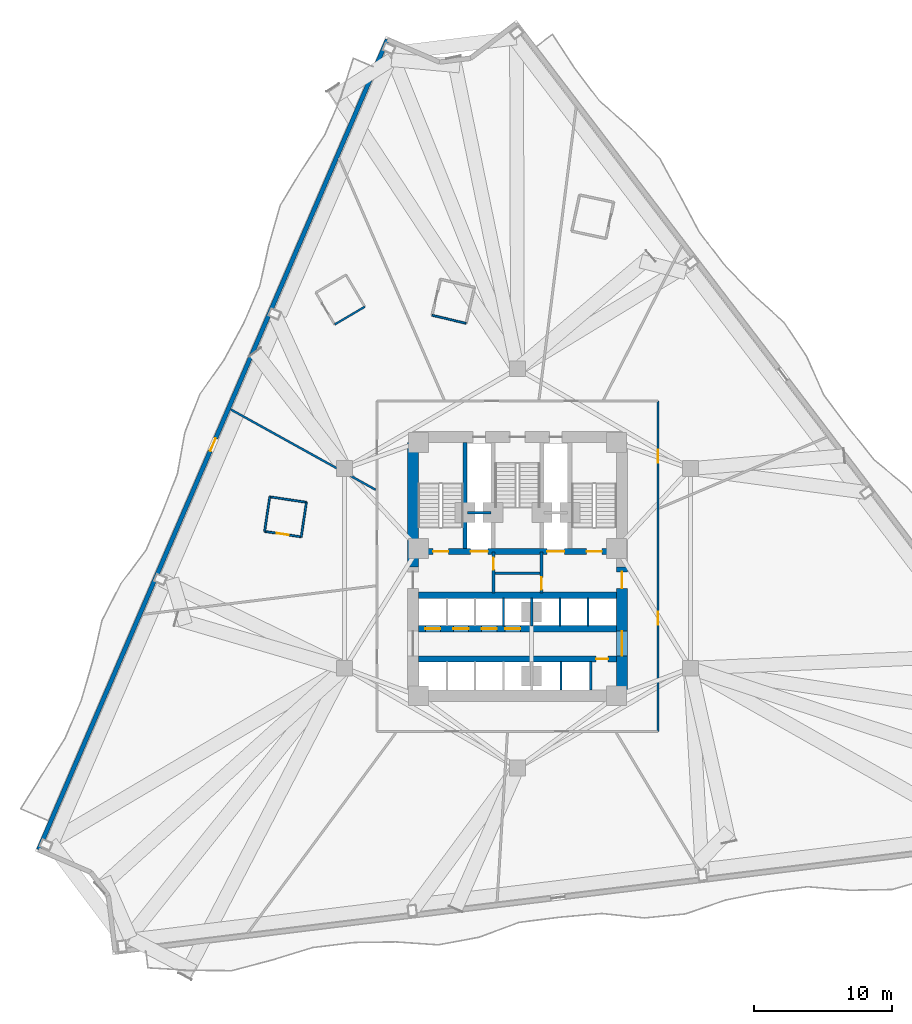
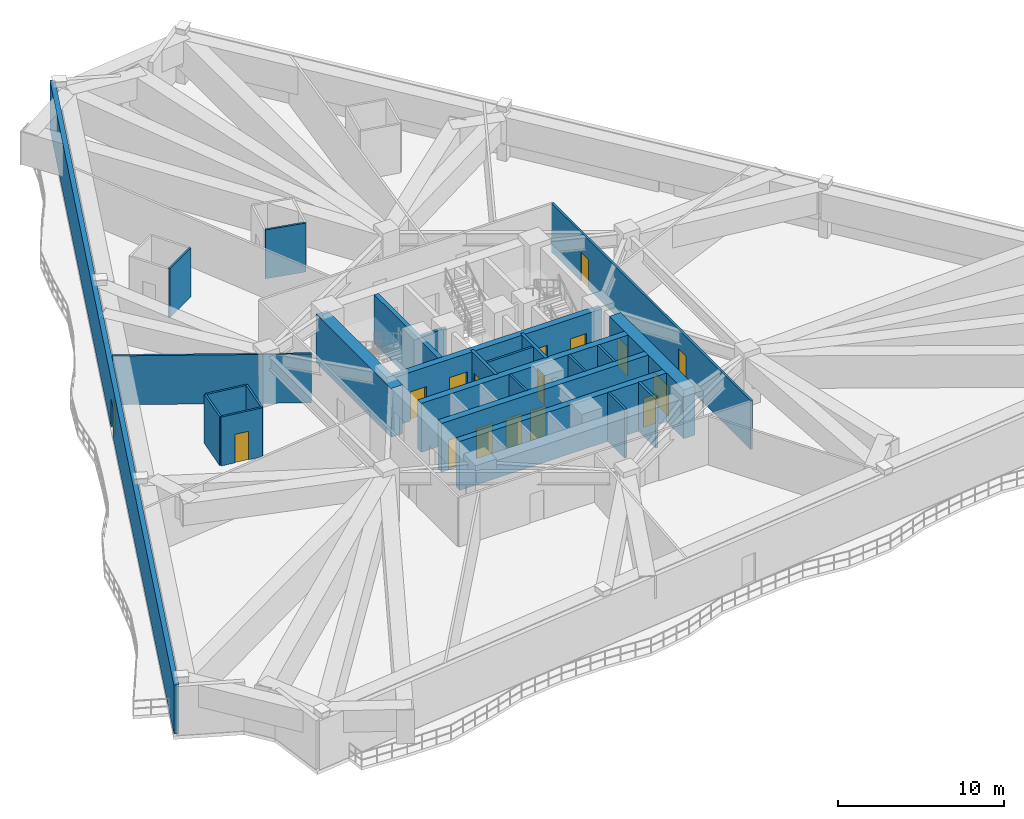
# One storey, part 8 of 14: 26 walls, 17 doors, 17 openings.
"""IFC4 building model written with IfcOpenShell, lengths in metres."""

from ifc_helpers import new_model, si_unit, direction, frame, frame_2d, origin, place, context, subcontext, project, spatial, rectangle, extrude, material, layer, layer_set, type_object, element, fill, save


model = new_model("IFC4")

# Units and contexts
model_context = context("Model", 3, precision=1e-05, world=origin(), true_north=direction((0.0, 1.0)))
body_context = subcontext(model_context, "Body", "Model", "MODEL_VIEW")
ifc_project = project(units=[si_unit("LENGTHUNIT", "METRE"), si_unit("AREAUNIT", "SQUARE_METRE"), si_unit("VOLUMEUNIT", "CUBIC_METRE"), si_unit("PLANEANGLEUNIT", "RADIAN"), si_unit("MASSUNIT", "GRAM", prefix="KILO")], contexts=[model_context])

# Site, building, storey
site_placement = place(None, origin())
site = spatial("IfcSite", under=ifc_project, at=site_placement, CompositionType="ELEMENT")
building_placement = place(site_placement, origin())
building = spatial("IfcBuilding", under=site, at=building_placement, Name="Apsidion Concourse Tower", CompositionType="ELEMENT")
storey_placement = place(building_placement, frame((0.0, 0.0, 91.0)))
storey = spatial("IfcBuildingStorey", under=building, at=storey_placement, Name="L20", CompositionType="ELEMENT", Elevation=91.0)

# Wall, opening, door
ifc_material_1 = material(Name="Precast concrete C40/50", Category="concrete")
ifc_layer_1 = layer(ifc_material_1, 0.320068359375)
ifc_layer_set_1 = layer_set([ifc_layer_1], Name="Precast concrete C40/50")
wall_type_1 = type_object("IfcWallType", Name="WL-EXT-320", PredefinedType="STANDARD", material=ifc_layer_set_1)
wall_1_placement = place(storey_placement, frame((-34.787353515625, -20.429443359375, 0.0), z_axis=(0.0, 0.0, 1.0), x_axis=(0.395418293843, 0.91850115563, 0.0)))
wall_1 = element("IfcWall", 1, at=wall_1_placement, inside=storey, type_object=wall_type_1, Name="L20 Precast Stone Facade Wall 09", PredefinedType="STANDARD", context=body_context, shape_type="SweptSolid", body=[
    extrude(rectangle(XDim=64.058349609375, YDim=0.320068359375, at=frame_2d((32.029296875, 0.0))), origin(), (0.0, 0.0, 1.0), 3.60009765625),
])
opening_1_placement = place(wall_1_placement, frame((31.529296875, 0.0, 0.0)))
opening_1 = element("IfcOpeningElement", 2, at=opening_1_placement, cuts=wall_1, Name="Opening D-T1L", PredefinedType="OPENING", context=body_context, shape_type="SweptSolid", body=[
    extrude(rectangle(XDim=1.0, YDim=2.14990234375, at=frame_2d((0.5, 1.074951171875))), frame((0.0, 0.169921875, 0.0), z_axis=(0.0, -1.0, 0.0), x_axis=(1.0, 0.0, 0.0)), (0.0, 0.0, 1.0), 0.340087890625),
])
ifc_material_2 = material(Name="Anodised aluminium EN AW-6063 T6", Category="aluminium")
door_type_1 = type_object("IfcDoorType", Name="DR-TER-1022L", OperationType="SINGLE_SWING_LEFT", PredefinedType="DOOR", material=ifc_material_2)
door_1_placement = place(opening_1_placement, origin())
door_1 = element("IfcDoor", 3, at=door_1_placement, inside=storey, type_object=door_type_1, Name="L20 Balcony Access Door 1", OperationType="SINGLE_SWING_LEFT", OverallHeight=2.14990234375, OverallWidth=1.0, PredefinedType="DOOR", context=body_context, shape_type="SweptSolid", body=[
    extrude(rectangle(XDim=1.0, YDim=2.14990234375, at=frame_2d((0.5, 1.074951171875))), frame((0.0, 0.02490234375, 0.0), z_axis=(0.0, -1.0, 0.0), x_axis=(1.0, 0.0, 0.0)), (0.0, 0.0, 1.0), 0.050048828125),
])
fill(opening_1, door_1)

# Walls
ifc_material_3 = material(Name="Gypsum plasterboard partition")
ifc_layer_2 = layer(ifc_material_3, 0.139892578125)
ifc_layer_set_2 = layer_set([ifc_layer_2], Name="Gypsum plasterboard partition")
wall_type_2 = type_object("IfcWallType", Name="WL-INT-PAR-140", PredefinedType="PARTITIONING", material=ifc_layer_set_2)
for number, where, z_axis, x_axis, name in (
    (4, (-6.209716796875, 18.388671875, 0.0), (0.0, 0.0, 1.0), (0.973167005848, -0.230099932049, 0.0), "L20 Interior Partition WL-L20-POD-ENS06-S4"),
    (5, (-13.282470703125, 17.716552734375, 0.0), (0.0, 0.0, 1.0), (0.861595512239, 0.507595481943, 0.0), "L20 Interior Partition WL-L20-POD-ENS07-S4"),
):
    element("IfcWall", number, at=place(storey_placement, frame(where, z_axis=z_axis, x_axis=x_axis)), inside=storey, type_object=wall_type_2, Name=name, PredefinedType="PARTITIONING", context=body_context, shape_type="SweptSolid", body=[
        extrude(rectangle(XDim=2.5400390625, YDim=0.139892578125, at=frame_2d((1.27001953125, 0.0))), origin(), (0.0, 0.0, 1.0), 3.60009765625),
    ])
wall_2_placement = place(storey_placement, frame((-15.33349609375, 4.802001953125, 0.0), z_axis=(0.0, 0.0, 1.0), x_axis=(-0.989010125109, 0.147847801579, 0.0)))
element("IfcWall", 6, at=wall_2_placement, inside=storey, type_object=wall_type_2, Name="L20 Interior Partition WL-L20-POD-ENS08-S1", PredefinedType="PARTITIONING", context=body_context, shape_type="SweptSolid", body=[
    extrude(rectangle(XDim=2.68994140625, YDim=0.139892578125, at=frame_2d((1.344970703125, 0.0))), origin(), (0.0, 0.0, 1.0), 3.60009765625),
])
wall_3_placement = place(storey_placement, frame((-17.993896484375, 5.19970703125, 0.0), z_axis=(0.0, 0.0, 1.0), x_axis=(-0.147823437669, -0.98901376698, 0.0)))
element("IfcWall", 7, at=wall_3_placement, inside=storey, type_object=wall_type_2, Name="L20 Interior Partition WL-L20-POD-ENS08-S2", PredefinedType="PARTITIONING", context=body_context, shape_type="SweptSolid", body=[
    extrude(rectangle(XDim=2.5400390625, YDim=0.139892578125, at=frame_2d((1.27001953125, 0.0))), origin(), (0.0, 0.0, 1.0), 3.60009765625),
])

# Wall, opening, door
wall_4_placement = place(storey_placement, frame((-18.369384765625, 2.6875, 0.0), z_axis=(0.0, 0.0, 1.0), x_axis=(0.989010125109, -0.147847801579, 0.0)))
wall_4 = element("IfcWall", 8, at=wall_4_placement, inside=storey, type_object=wall_type_2, Name="L20 Interior Partition WL-L20-POD-ENS08-S3", PredefinedType="PARTITIONING", context=body_context, shape_type="SweptSolid", body=[
    extrude(rectangle(XDim=2.68994140625, YDim=0.139892578125, at=frame_2d((1.344970703125, 0.0))), origin(), (0.0, 0.0, 1.0), 3.60009765625),
])
opening_2_placement = place(wall_4_placement, frame((0.905029296875, 0.0, 0.0)))
opening_2 = element("IfcOpeningElement", 9, at=opening_2_placement, cuts=wall_4, Name="Opening D-03L", PredefinedType="OPENING", context=body_context, shape_type="SweptSolid", body=[
    extrude(rectangle(XDim=0.8798828125, YDim=2.10009765625, at=frame_2d((0.43994140625, 1.050048828125))), frame((0.0, 0.080078125, 0.0), z_axis=(0.0, -1.0, 0.0), x_axis=(1.0, 0.0, 0.0)), (0.0, 0.0, 1.0), 0.159912109375),
])
door_type_2 = type_object("IfcDoorType", Name="DR-INT-D03L", OperationType="SINGLE_SWING_LEFT", PredefinedType="DOOR", material=ifc_material_2)
door_2_placement = place(opening_2_placement, origin())
door_2 = element("IfcDoor", 10, at=door_2_placement, inside=storey, type_object=door_type_2, Name="L20 Guest En-Suite Bathroom Door ENS08", OperationType="SINGLE_SWING_LEFT", OverallHeight=2.10009765625, OverallWidth=0.8798828125, PredefinedType="DOOR", context=body_context, shape_type="SweptSolid", body=[
    extrude(rectangle(XDim=0.8798828125, YDim=2.10009765625, at=frame_2d((0.43994140625, 1.050048828125))), frame((0.0, 0.02490234375, 0.0), z_axis=(0.0, -1.0, 0.0), x_axis=(1.0, 0.0, 0.0)), (0.0, 0.0, 1.0), 0.050048828125),
])
fill(opening_2, door_2)

# Walls
wall_5_placement = place(storey_placement, frame((-15.708984375, 2.289794921875, 0.0), z_axis=(0.0, 0.0, 1.0), x_axis=(0.147823437669, 0.98901376698, 0.0)))
element("IfcWall", 11, at=wall_5_placement, inside=storey, type_object=wall_type_2, Name="L20 Interior Partition WL-L20-POD-ENS08-S4", PredefinedType="PARTITIONING", context=body_context, shape_type="SweptSolid", body=[
    extrude(rectangle(XDim=2.5400390625, YDim=0.139892578125, at=frame_2d((1.27001953125, 0.0))), origin(), (0.0, 0.0, 1.0), 3.60009765625),
])
ifc_layer_3 = layer(ifc_material_3, 0.14990234375)
ifc_layer_set_3 = layer_set([ifc_layer_3], Name="Gypsum plasterboard partition")
wall_type_3 = type_object("IfcWallType", Name="WL-INT-PAR-150", PredefinedType="PARTITIONING", material=ifc_layer_set_3)
for number, where, z_axis, x_axis, name in (
    (12, (-1.02490234375, -4.179931640625, 0.0), (0.0, 0.0, 1.0), (0.0, 1.0, 0.0), "L20 Interior Partition WL-L20-B1DIV-3"),
    (13, (3.074951171875, -4.179931640625, 0.0), (0.0, 0.0, 1.0), (0.0, 1.0, 0.0), "L20 Interior Partition WL-L20-B3DIV-1"),
    (14, (5.125, -4.179931640625, 0.0), (0.0, 0.0, 1.0), (0.0, 1.0, 0.0), "L20 Interior Partition WL-L20-B3DIV-2"),
):
    element("IfcWall", number, at=place(storey_placement, frame(where, z_axis=z_axis, x_axis=x_axis)), inside=storey, type_object=wall_type_3, Name=name, PredefinedType="PARTITIONING", context=body_context, shape_type="SweptSolid", body=[
        extrude(rectangle(XDim=2.030029296875, YDim=0.14990234375, at=frame_2d((1.01513671875, 0.0))), origin(), (0.0, 0.0, 1.0), 3.60009765625),
    ])
wall_6_placement = place(storey_placement, frame((3.175048828125, -8.85009765625, 0.0), z_axis=(0.0, 0.0, 1.0), x_axis=(0.0, 1.0, 0.0)))
element("IfcWall", 15, at=wall_6_placement, inside=storey, type_object=wall_type_3, Name="L20 Interior Partition WL-L20-SHDIV-1", PredefinedType="PARTITIONING", context=body_context, shape_type="SweptSolid", body=[
    extrude(rectangle(XDim=2.080078125, YDim=0.14990234375, at=frame_2d((1.0400390625, 0.0))), origin(), (0.0, 0.0, 1.0), 3.60009765625),
])
wall_7_placement = place(storey_placement, frame((-1.6298828125, -0.35009765625, 0.0), z_axis=(0.0, 0.0, 1.0), x_axis=(1.0, 0.0, 0.0)))
element("IfcWall", 16, at=wall_7_placement, inside=storey, type_object=wall_type_3, Name="L20 Interior Partition WL-L20-K2H", PredefinedType="PARTITIONING", context=body_context, shape_type="SweptSolid", body=[
    extrude(rectangle(XDim=3.259765625, YDim=0.14990234375, at=frame_2d((1.6298828125, 0.0))), origin(), (0.0, 0.0, 1.0), 3.60009765625),
])

# Wall, openings, doors
wall_8_placement = place(storey_placement, frame((10.199951171875, 12.14990234375, 0.0), z_axis=(0.0, 0.0, 1.0), x_axis=(0.0, -1.0, 0.0)))
wall_8 = element("IfcWall", 17, at=wall_8_placement, inside=storey, type_object=wall_type_3, Name="L20 Interior Partition WL-L20-CORR-02", PredefinedType="PARTITIONING", context=body_context, shape_type="SweptSolid", body=[
    extrude(rectangle(XDim=24.0, YDim=0.14990234375, at=frame_2d((12.0, 0.0))), origin(), (0.0, 0.0, 1.0), 3.60009765625),
])
opening_3_placement = place(wall_8_placement, frame((15.29052734375, 0.0, 0.0)))
opening_3 = element("IfcOpeningElement", 18, at=opening_3_placement, cuts=wall_8, Name="Opening D-01R", PredefinedType="OPENING", context=body_context, shape_type="SweptSolid", body=[
    extrude(rectangle(XDim=0.949951171875, YDim=2.14990234375, at=frame_2d((0.47509765625, 1.074951171875))), frame((0.0, 0.0849609375, 0.0), z_axis=(0.0, -1.0, 0.0), x_axis=(1.0, 0.0, 0.0)), (0.0, 0.0, 1.0), 0.169921875),
])
opening_4_placement = place(wall_8_placement, frame((3.54248046875, 0.0, 0.0)))
opening_4 = element("IfcOpeningElement", 19, at=opening_4_placement, cuts=wall_8, Name="Opening D-01L", PredefinedType="OPENING", context=body_context, shape_type="SweptSolid", body=[
    extrude(rectangle(XDim=0.949951171875, YDim=2.14990234375, at=frame_2d((0.47509765625, 1.074951171875))), frame((0.0, 0.0849609375, 0.0), z_axis=(0.0, -1.0, 0.0), x_axis=(1.0, 0.0, 0.0)), (0.0, 0.0, 1.0), 0.169921875),
])
ifc_material_4 = material(Name="Brushed stainless steel 316", Category="steel")
door_type_3 = type_object("IfcDoorType", Name="DR-INT-D01L", OperationType="SINGLE_SWING_LEFT", PredefinedType="DOOR", material=ifc_material_4)
door_3_placement = place(opening_4_placement, origin())
door_3 = element("IfcDoor", 20, at=door_3_placement, inside=storey, type_object=door_type_3, Name="L20 Corridor Entry Door 05", OperationType="SINGLE_SWING_LEFT", OverallHeight=2.14990234375, OverallWidth=0.949951171875, PredefinedType="DOOR", context=body_context, shape_type="SweptSolid", body=[
    extrude(rectangle(XDim=0.949951171875, YDim=2.14990234375, at=frame_2d((0.47509765625, 1.074951171875))), frame((0.0, 0.02490234375, 0.0), z_axis=(0.0, -1.0, 0.0), x_axis=(1.0, 0.0, 0.0)), (0.0, 0.0, 1.0), 0.050048828125),
])
fill(opening_4, door_3)
door_type_4 = type_object("IfcDoorType", Name="DR-INT-D01R", OperationType="SINGLE_SWING_RIGHT", PredefinedType="DOOR", material=ifc_material_4)
door_4_placement = place(opening_3_placement, origin())
door_4 = element("IfcDoor", 21, at=door_4_placement, inside=storey, type_object=door_type_4, Name="L20 Corridor Entry Door 04", OperationType="SINGLE_SWING_RIGHT", OverallHeight=2.14990234375, OverallWidth=0.949951171875, PredefinedType="DOOR", context=body_context, shape_type="SweptSolid", body=[
    extrude(rectangle(XDim=0.949951171875, YDim=2.14990234375, at=frame_2d((0.47509765625, 1.074951171875))), frame((0.0, 0.02490234375, 0.0), z_axis=(0.0, -1.0, 0.0), x_axis=(1.0, 0.0, 0.0)), (0.0, 0.0, 1.0), 0.050048828125),
])
fill(opening_3, door_4)

# Walls
wall_9_placement = place(storey_placement, frame((-10.304931640625, 5.712158203125, 0.0), z_axis=(0.0, 0.0, 1.0), x_axis=(-0.87461523799, 0.484817682718, 0.0)))
element("IfcWall", 22, at=wall_9_placement, inside=storey, type_object=wall_type_3, Name="L20 Interior Partition WL-L20-RAD-05-1", PredefinedType="PARTITIONING", context=body_context, shape_type="SweptSolid", body=[
    extrude(rectangle(XDim=12.034912109375, YDim=0.14990234375, at=frame_2d((6.017578125, 0.0))), origin(), (0.0, 0.0, 1.0), 3.60009765625),
])
ifc_layer_4 = layer(ifc_material_3, 0.179931640625)
ifc_layer_set_4 = layer_set([ifc_layer_4], Name="Gypsum plasterboard partition")
wall_type_4 = type_object("IfcWallType", Name="WL-INT-PAR-180", PredefinedType="PARTITIONING", material=ifc_layer_set_4)
wall_10_placement = place(storey_placement, frame((1.02490234375, -4.179931640625, 0.0), z_axis=(0.0, 0.0, 1.0), x_axis=(0.0, 1.0, 0.0)))
element("IfcWall", 23, at=wall_10_placement, inside=storey, type_object=wall_type_4, Name="L20 Interior Partition WL-L20-B1END", PredefinedType="PARTITIONING", context=body_context, shape_type="SweptSolid", body=[
    extrude(rectangle(XDim=2.030029296875, YDim=0.179931640625, at=frame_2d((1.01513671875, 0.0))), origin(), (0.0, 0.0, 1.0), 2.64794921875),
])
wall_11_placement = place(storey_placement, frame((5.324951171875, -8.85009765625, 0.0), z_axis=(0.0, 0.0, 1.0), x_axis=(0.0, 1.0, 0.0)))
element("IfcWall", 24, at=wall_11_placement, inside=storey, type_object=wall_type_4, Name="L20 Interior Partition WL-L20-SHDIV-2", PredefinedType="PARTITIONING", context=body_context, shape_type="SweptSolid", body=[
    extrude(rectangle(XDim=2.080078125, YDim=0.179931640625, at=frame_2d((1.0400390625, 0.0))), origin(), (0.0, 0.0, 1.0), 3.60009765625),
])
ifc_layer_5 = layer(ifc_material_3, 0.199951171875)
ifc_layer_set_5 = layer_set([ifc_layer_5], Name="Gypsum plasterboard partition")
wall_type_5 = type_object("IfcWallType", Name="WL-INT-PAR-200", PredefinedType="PARTITIONING", material=ifc_layer_set_5)
wall_12_placement = place(storey_placement, frame((-3.64990234375, 4.050048828125, 0.0), z_axis=(0.0, 0.0, 1.0), x_axis=(1.0, 0.0, 0.0)))
element("IfcWall", 25, at=wall_12_placement, inside=storey, type_object=wall_type_5, Name="L20 Interior Partition WL-L20-FF1-N", PredefinedType="PARTITIONING", context=body_context, shape_type="SweptSolid", body=[
    extrude(rectangle(XDim=1.72998046875, YDim=0.199951171875, at=frame_2d((0.864990234375, 0.0))), origin(), (0.0, 0.0, 1.0), 3.60009765625),
])

# Wall, opening, door
wall_13_placement = place(storey_placement, frame((-1.739990234375, -1.780029296875, 0.0), z_axis=(0.0, 0.0, 1.0), x_axis=(0.0, 1.0, 0.0)))
wall_13 = element("IfcWall", 26, at=wall_13_placement, inside=storey, type_object=wall_type_5, Name="L20 Interior Partition WL-L20-FF1-E", PredefinedType="PARTITIONING", context=body_context, shape_type="SweptSolid", body=[
    extrude(rectangle(XDim=2.97998046875, YDim=0.199951171875, at=frame_2d((1.489990234375, 0.0))), origin(), (0.0, 0.0, 1.0), 3.60009765625),
])
opening_5_placement = place(wall_13_placement, frame((1.68994140625, 0.0, 0.0)))
opening_5 = element("IfcOpeningElement", 27, at=opening_5_placement, cuts=wall_13, Name="Opening D-05L", PredefinedType="OPENING", context=body_context, shape_type="SweptSolid", body=[
    extrude(rectangle(XDim=0.8798828125, YDim=2.14990234375, at=frame_2d((0.43994140625, 1.074951171875))), frame((0.0, 0.10986328125, 0.0), z_axis=(0.0, -1.0, 0.0), x_axis=(1.0, 0.0, 0.0)), (0.0, 0.0, 1.0), 0.219970703125),
])
door_type_5 = type_object("IfcDoorType", Name="DR-INT-D05L", OperationType="SINGLE_SWING_LEFT", PredefinedType="DOOR", material=ifc_material_4)
door_5_placement = place(opening_5_placement, origin())
door_5 = element("IfcDoor", 28, at=door_5_placement, inside=storey, type_object=door_type_5, Name="L20 Core Staff WC Door", OperationType="SINGLE_SWING_LEFT", OverallHeight=2.14990234375, OverallWidth=0.8798828125, PredefinedType="DOOR", context=body_context, shape_type="SweptSolid", body=[
    extrude(rectangle(XDim=0.8798828125, YDim=2.14990234375, at=frame_2d((0.43994140625, 1.074951171875))), frame((0.0, 0.02490234375, 0.0), z_axis=(0.0, -1.0, 0.0), x_axis=(1.0, 0.0, 0.0)), (0.0, 0.0, 1.0), 0.050048828125),
])
fill(opening_5, door_5)

wall_14_placement = place(storey_placement, frame((1.739990234375, -1.780029296875, 0.0), z_axis=(0.0, 0.0, 1.0), x_axis=(0.0, 1.0, 0.0)))
wall_14 = element("IfcWall", 29, at=wall_14_placement, inside=storey, type_object=wall_type_5, Name="L20 Interior Partition WL-L20-FF2-W", PredefinedType="PARTITIONING", context=body_context, shape_type="SweptSolid", body=[
    extrude(rectangle(XDim=2.97998046875, YDim=0.199951171875, at=frame_2d((1.489990234375, 0.0))), origin(), (0.0, 0.0, 1.0), 3.60009765625),
])
opening_6_placement = place(wall_14_placement, frame((0.239990234375, 0.0, 0.0)))
opening_6 = element("IfcOpeningElement", 30, at=opening_6_placement, cuts=wall_14, Name="Opening D-05R", PredefinedType="OPENING", context=body_context, shape_type="SweptSolid", body=[
    extrude(rectangle(XDim=0.8798828125, YDim=2.14990234375, at=frame_2d((0.43994140625, 1.074951171875))), frame((0.0, 0.10986328125, 0.0), z_axis=(0.0, -1.0, 0.0), x_axis=(1.0, 0.0, 0.0)), (0.0, 0.0, 1.0), 0.219970703125),
])
door_type_6 = type_object("IfcDoorType", Name="DR-INT-D05R", OperationType="SINGLE_SWING_RIGHT", PredefinedType="DOOR", material=ifc_material_4)
door_6_placement = place(opening_6_placement, origin())
door_6 = element("IfcDoor", 31, at=door_6_placement, inside=storey, type_object=door_type_6, Name="L20 Core Supply Store Door", OperationType="SINGLE_SWING_RIGHT", OverallHeight=2.14990234375, OverallWidth=0.8798828125, PredefinedType="DOOR", context=body_context, shape_type="SweptSolid", body=[
    extrude(rectangle(XDim=0.8798828125, YDim=2.14990234375, at=frame_2d((0.43994140625, 1.074951171875))), frame((0.0, 0.02490234375, 0.0), z_axis=(0.0, -1.0, 0.0), x_axis=(1.0, 0.0, 0.0)), (0.0, 0.0, 1.0), 0.050048828125),
])
fill(opening_6, door_6)

# Wall
ifc_material_5 = material(Name="Concrete C50/60", Category="concrete")
ifc_layer_6 = layer(ifc_material_5, 0.300048828125)
ifc_layer_set_6 = layer_set([ifc_layer_6], Name="Concrete C50/60")
wall_type_6 = type_object("IfcWallType", Name="WL-SH-300", PredefinedType="SHEAR", material=ifc_layer_set_6)
wall_15_placement = place(storey_placement, frame((-3.800048828125, 1.449951171875, 0.0), z_axis=(0.0, 0.0, 1.0), x_axis=(0.0, 1.0, 0.0)))
element("IfcWall", 32, at=wall_15_placement, inside=storey, type_object=wall_type_6, Name="L20 Central Core Shear Wall V1", PredefinedType="SHEAR", context=body_context, shape_type="SweptSolid", body=[
    extrude(rectangle(XDim=7.699951171875, YDim=0.300048828125, at=frame_2d((3.85009765625, 0.0))), origin(), (0.0, 0.0, 1.0), 3.60009765625),
])

# Wall, openings, doors
ifc_material_6 = material(Name="Concrete C60/75", Category="concrete")
ifc_layer_7 = layer(ifc_material_6, 0.449951171875)
ifc_layer_set_7 = layer_set([ifc_layer_7], Name="Concrete C60/75")
wall_type_7 = type_object("IfcWallType", Name="WL-SH-450", PredefinedType="SHEAR", material=ifc_layer_set_7)
wall_16_placement = place(storey_placement, frame((-7.199951171875, 1.22509765625, 0.0), z_axis=(0.0, 0.0, 1.0), x_axis=(1.0, 0.0, 0.0)))
wall_16 = element("IfcWall", 33, at=wall_16_placement, inside=storey, type_object=wall_type_7, Name="L20 Central Core Shear Wall M1", PredefinedType="SHEAR", context=body_context, shape_type="SweptSolid", body=[
    extrude(rectangle(XDim=14.39990234375, YDim=0.449951171875, at=frame_2d((7.199951171875, 0.0))), origin(), (0.0, 0.0, 1.0), 3.60009765625),
])
opening_7_placement = place(wall_16_placement, frame((3.794921875, 0.0, 0.0)))
opening_7 = element("IfcOpeningElement", 34, at=opening_7_placement, cuts=wall_16, Name="Opening LD-FF", PredefinedType="OPENING", context=body_context, shape_type="SweptSolid", body=[
    extrude(rectangle(XDim=1.25, YDim=2.25, at=frame_2d((0.625, 1.125))), frame((0.0, 0.23486328125, 0.0), z_axis=(0.0, -1.0, 0.0), x_axis=(1.0, 0.0, 0.0)), (0.0, 0.0, 1.0), 0.469970703125),
])
opening_8_placement = place(wall_16_placement, frame((9.35498046875, 0.0, 0.0)))
opening_8 = element("IfcOpeningElement", 35, at=opening_8_placement, cuts=wall_16, Name="Opening LD-FF", PredefinedType="OPENING", context=body_context, shape_type="SweptSolid", body=[
    extrude(rectangle(XDim=1.25, YDim=2.25, at=frame_2d((0.625, 1.125))), frame((0.0, 0.23486328125, 0.0), z_axis=(0.0, -1.0, 0.0), x_axis=(1.0, 0.0, 0.0)), (0.0, 0.0, 1.0), 0.469970703125),
])
opening_9_placement = place(wall_16_placement, frame((1.074951171875, 0.0, 0.0)))
opening_9 = element("IfcOpeningElement", 36, at=opening_9_placement, cuts=wall_16, Name="Opening D-STL", PredefinedType="OPENING", context=body_context, shape_type="SweptSolid", body=[
    extrude(rectangle(XDim=1.10009765625, YDim=2.14990234375, at=frame_2d((0.550048828125, 1.074951171875))), frame((0.0, 0.23486328125, 0.0), z_axis=(0.0, -1.0, 0.0), x_axis=(1.0, 0.0, 0.0)), (0.0, 0.0, 1.0), 0.469970703125),
])
opening_10_placement = place(wall_16_placement, frame((12.22509765625, 0.0, 0.0)))
opening_10 = element("IfcOpeningElement", 37, at=opening_10_placement, cuts=wall_16, Name="Opening D-STR", PredefinedType="OPENING", context=body_context, shape_type="SweptSolid", body=[
    extrude(rectangle(XDim=1.10009765625, YDim=2.14990234375, at=frame_2d((0.550048828125, 1.074951171875))), frame((0.0, 0.23486328125, 0.0), z_axis=(0.0, -1.0, 0.0), x_axis=(1.0, 0.0, 0.0)), (0.0, 0.0, 1.0), 0.469970703125),
])
door_type_7 = type_object("IfcDoorType", Name="DR-INT-ST1L", OperationType="SINGLE_SWING_LEFT", PredefinedType="DOOR", material=ifc_material_4)
door_7_placement = place(opening_9_placement, origin())
door_7 = element("IfcDoor", 38, at=door_7_placement, inside=storey, type_object=door_type_7, Name="L20 Core Exit Stair ST1 Door", OperationType="SINGLE_SWING_LEFT", OverallHeight=2.14990234375, OverallWidth=1.10009765625, PredefinedType="DOOR", context=body_context, shape_type="SweptSolid", body=[
    extrude(rectangle(XDim=1.10009765625, YDim=2.14990234375, at=frame_2d((0.550048828125, 1.074951171875))), frame((0.0, 0.02490234375, 0.0), z_axis=(0.0, -1.0, 0.0), x_axis=(1.0, 0.0, 0.0)), (0.0, 0.0, 1.0), 0.050048828125),
])
fill(opening_9, door_7)
door_type_8 = type_object("IfcDoorType", Name="DR-INT-ST1R", OperationType="SINGLE_SWING_RIGHT", PredefinedType="DOOR", material=ifc_material_4)
door_8_placement = place(opening_10_placement, origin())
door_8 = element("IfcDoor", 39, at=door_8_placement, inside=storey, type_object=door_type_8, Name="L20 Core Exit Stair ST2 Door", OperationType="SINGLE_SWING_RIGHT", OverallHeight=2.14990234375, OverallWidth=1.10009765625, PredefinedType="DOOR", context=body_context, shape_type="SweptSolid", body=[
    extrude(rectangle(XDim=1.10009765625, YDim=2.14990234375, at=frame_2d((0.550048828125, 1.074951171875))), frame((0.0, 0.02490234375, 0.0), z_axis=(0.0, -1.0, 0.0), x_axis=(1.0, 0.0, 0.0)), (0.0, 0.0, 1.0), 0.050048828125),
])
fill(opening_10, door_8)
door_type_9 = type_object("IfcDoorType", Name="DR-LD-FSAE", OperationType="DOUBLE_DOOR_SLIDING", PredefinedType="DOOR", material=ifc_material_4)
door_9_placement = place(opening_7_placement, origin())
door_9 = element("IfcDoor", 40, at=door_9_placement, inside=storey, type_object=door_type_9, Name="L20 Lift Landing Door FF1", OperationType="DOUBLE_DOOR_SLIDING", OverallHeight=2.25, OverallWidth=1.25, PredefinedType="DOOR", context=body_context, shape_type="SweptSolid", body=[
    extrude(rectangle(XDim=1.25, YDim=2.25, at=frame_2d((0.625, 1.125))), frame((0.0, 0.02490234375, 0.0), z_axis=(0.0, -1.0, 0.0), x_axis=(1.0, 0.0, 0.0)), (0.0, 0.0, 1.0), 0.050048828125),
])
fill(opening_7, door_9)
door_10_placement = place(opening_8_placement, origin())
door_10 = element("IfcDoor", 41, at=door_10_placement, inside=storey, type_object=door_type_9, Name="L20 Lift Landing Door FF2", OperationType="DOUBLE_DOOR_SLIDING", OverallHeight=2.25, OverallWidth=1.25, PredefinedType="DOOR", context=body_context, shape_type="SweptSolid", body=[
    extrude(rectangle(XDim=1.25, YDim=2.25, at=frame_2d((0.625, 1.125))), frame((0.0, 0.02490234375, 0.0), z_axis=(0.0, -1.0, 0.0), x_axis=(1.0, 0.0, 0.0)), (0.0, 0.0, 1.0), 0.050048828125),
])
fill(opening_8, door_10)

# Wall
wall_17_placement = place(storey_placement, frame((-7.199951171875, -1.949951171875, 0.0), z_axis=(0.0, 0.0, 1.0), x_axis=(1.0, 0.0, 0.0)))
element("IfcWall", 42, at=wall_17_placement, inside=storey, type_object=wall_type_7, Name="L20 Central Core Shear Wall M2", PredefinedType="SHEAR", context=body_context, shape_type="SweptSolid", body=[
    extrude(rectangle(XDim=14.39990234375, YDim=0.449951171875, at=frame_2d((7.199951171875, 0.0))), origin(), (0.0, 0.0, 1.0), 3.60009765625),
])

# Wall, openings, doors
wall_18_placement = place(storey_placement, frame((-7.199951171875, -4.3798828125, 0.0), z_axis=(0.0, 0.0, 1.0), x_axis=(1.0, 0.0, 0.0)))
wall_18 = element("IfcWall", 43, at=wall_18_placement, inside=storey, type_object=wall_type_7, Name="L20 Central Core Shear Wall LA", PredefinedType="SHEAR", context=body_context, shape_type="SweptSolid", body=[
    extrude(rectangle(XDim=14.39990234375, YDim=0.449951171875, at=frame_2d((7.199951171875, 0.0))), origin(), (0.0, 0.0, 1.0), 3.60009765625),
])
opening_11_placement = place(wall_18_placement, frame((0.5, 0.0, 0.0)))
opening_11 = element("IfcOpeningElement", 44, at=opening_11_placement, cuts=wall_18, Name="Opening LD-P1", PredefinedType="OPENING", context=body_context, shape_type="SweptSolid", body=[
    extrude(rectangle(XDim=1.10009765625, YDim=2.199951171875, at=frame_2d((0.550048828125, 1.10009765625))), frame((0.0, 0.23486328125, 0.0), z_axis=(0.0, -1.0, 0.0), x_axis=(1.0, 0.0, 0.0)), (0.0, 0.0, 1.0), 0.469970703125),
])
opening_12_placement = place(wall_18_placement, frame((2.550048828125, 0.0, 0.0)))
opening_12 = element("IfcOpeningElement", 45, at=opening_12_placement, cuts=wall_18, Name="Opening LD-P1", PredefinedType="OPENING", context=body_context, shape_type="SweptSolid", body=[
    extrude(rectangle(XDim=1.10009765625, YDim=2.199951171875, at=frame_2d((0.550048828125, 1.10009765625))), frame((0.0, 0.23486328125, 0.0), z_axis=(0.0, -1.0, 0.0), x_axis=(1.0, 0.0, 0.0)), (0.0, 0.0, 1.0), 0.469970703125),
])
opening_13_placement = place(wall_18_placement, frame((4.60009765625, 0.0, 0.0)))
opening_13 = element("IfcOpeningElement", 46, at=opening_13_placement, cuts=wall_18, Name="Opening LD-P1", PredefinedType="OPENING", context=body_context, shape_type="SweptSolid", body=[
    extrude(rectangle(XDim=1.10009765625, YDim=2.199951171875, at=frame_2d((0.550048828125, 1.10009765625))), frame((0.0, 0.23486328125, 0.0), z_axis=(0.0, -1.0, 0.0), x_axis=(1.0, 0.0, 0.0)), (0.0, 0.0, 1.0), 0.469970703125),
])
opening_14_placement = place(wall_18_placement, frame((6.300048828125, 0.0, 0.0)))
opening_14 = element("IfcOpeningElement", 47, at=opening_14_placement, cuts=wall_18, Name="Opening LD-P1", PredefinedType="OPENING", context=body_context, shape_type="SweptSolid", body=[
    extrude(rectangle(XDim=1.10009765625, YDim=2.199951171875, at=frame_2d((0.550048828125, 1.10009765625))), frame((0.0, 0.23486328125, 0.0), z_axis=(0.0, -1.0, 0.0), x_axis=(1.0, 0.0, 0.0)), (0.0, 0.0, 1.0), 0.469970703125),
])
door_type_10 = type_object("IfcDoorType", Name="DR-LD-PASS", OperationType="DOUBLE_DOOR_SLIDING", PredefinedType="DOOR", material=ifc_material_4)
door_11_placement = place(opening_11_placement, origin())
door_11 = element("IfcDoor", 48, at=door_11_placement, inside=storey, type_object=door_type_10, Name="L20 Lift Landing Door P1", OperationType="DOUBLE_DOOR_SLIDING", OverallHeight=2.199951171875, OverallWidth=1.10009765625, PredefinedType="DOOR", context=body_context, shape_type="SweptSolid", body=[
    extrude(rectangle(XDim=1.10009765625, YDim=2.199951171875, at=frame_2d((0.550048828125, 1.10009765625))), frame((0.0, 0.02490234375, 0.0), z_axis=(0.0, -1.0, 0.0), x_axis=(1.0, 0.0, 0.0)), (0.0, 0.0, 1.0), 0.050048828125),
])
fill(opening_11, door_11)
door_12_placement = place(opening_12_placement, origin())
door_12 = element("IfcDoor", 49, at=door_12_placement, inside=storey, type_object=door_type_10, Name="L20 Lift Landing Door P2", OperationType="DOUBLE_DOOR_SLIDING", OverallHeight=2.199951171875, OverallWidth=1.10009765625, PredefinedType="DOOR", context=body_context, shape_type="SweptSolid", body=[
    extrude(rectangle(XDim=1.10009765625, YDim=2.199951171875, at=frame_2d((0.550048828125, 1.10009765625))), frame((0.0, 0.02490234375, 0.0), z_axis=(0.0, -1.0, 0.0), x_axis=(1.0, 0.0, 0.0)), (0.0, 0.0, 1.0), 0.050048828125),
])
fill(opening_12, door_12)
door_13_placement = place(opening_13_placement, origin())
door_13 = element("IfcDoor", 50, at=door_13_placement, inside=storey, type_object=door_type_10, Name="L20 Lift Landing Door P3", OperationType="DOUBLE_DOOR_SLIDING", OverallHeight=2.199951171875, OverallWidth=1.10009765625, PredefinedType="DOOR", context=body_context, shape_type="SweptSolid", body=[
    extrude(rectangle(XDim=1.10009765625, YDim=2.199951171875, at=frame_2d((0.550048828125, 1.10009765625))), frame((0.0, 0.02490234375, 0.0), z_axis=(0.0, -1.0, 0.0), x_axis=(1.0, 0.0, 0.0)), (0.0, 0.0, 1.0), 0.050048828125),
])
fill(opening_13, door_13)
door_14_placement = place(opening_14_placement, origin())
door_14 = element("IfcDoor", 51, at=door_14_placement, inside=storey, type_object=door_type_10, Name="L20 Lift Landing Door P4", OperationType="DOUBLE_DOOR_SLIDING", OverallHeight=2.199951171875, OverallWidth=1.10009765625, PredefinedType="DOOR", context=body_context, shape_type="SweptSolid", body=[
    extrude(rectangle(XDim=1.10009765625, YDim=2.199951171875, at=frame_2d((0.550048828125, 1.10009765625))), frame((0.0, 0.02490234375, 0.0), z_axis=(0.0, -1.0, 0.0), x_axis=(1.0, 0.0, 0.0)), (0.0, 0.0, 1.0), 0.050048828125),
])
fill(opening_14, door_14)

# Wall, opening, door
wall_19_placement = place(storey_placement, frame((-7.199951171875, -6.570068359375, 0.0), z_axis=(0.0, 0.0, 1.0), x_axis=(1.0, 0.0, 0.0)))
wall_19 = element("IfcWall", 52, at=wall_19_placement, inside=storey, type_object=wall_type_7, Name="L20 Central Core Shear Wall LB", PredefinedType="SHEAR", context=body_context, shape_type="SweptSolid", body=[
    extrude(rectangle(XDim=14.39990234375, YDim=0.449951171875, at=frame_2d((7.199951171875, 0.0))), origin(), (0.0, 0.0, 1.0), 3.60009765625),
])
opening_15_placement = place(wall_19_placement, frame((12.909912109375, 0.0, 0.0)))
opening_15 = element("IfcOpeningElement", 53, at=opening_15_placement, cuts=wall_19, Name="Opening D-05L", PredefinedType="OPENING", context=body_context, shape_type="SweptSolid", body=[
    extrude(rectangle(XDim=0.8798828125, YDim=2.14990234375, at=frame_2d((0.43994140625, 1.074951171875))), frame((0.0, 0.23486328125, 0.0), z_axis=(0.0, -1.0, 0.0), x_axis=(1.0, 0.0, 0.0)), (0.0, 0.0, 1.0), 0.469970703125),
])
door_15_placement = place(opening_15_placement, origin())
door_15 = element("IfcDoor", 54, at=door_15_placement, inside=storey, type_object=door_type_5, Name="L20 Cleaners Store Door", OperationType="SINGLE_SWING_LEFT", OverallHeight=2.14990234375, OverallWidth=0.8798828125, PredefinedType="DOOR", context=body_context, shape_type="SweptSolid", body=[
    extrude(rectangle(XDim=0.8798828125, YDim=2.14990234375, at=frame_2d((0.43994140625, 1.074951171875))), frame((0.0, 0.02490234375, 0.0), z_axis=(0.0, -1.0, 0.0), x_axis=(1.0, 0.0, 0.0)), (0.0, 0.0, 1.0), 0.050048828125),
])
fill(opening_15, door_15)

# Wall
ifc_layer_8 = layer(ifc_material_6, 0.800048828125)
ifc_layer_set_8 = layer_set([ifc_layer_8], Name="Concrete C60/75")
wall_type_8 = type_object("IfcWallType", Name="WL-SH-800", PredefinedType="SHEAR", material=ifc_layer_set_8)
wall_20_placement = place(storey_placement, frame((-7.60009765625, 0.10009765625, 0.0), z_axis=(0.0, 0.0, 1.0), x_axis=(0.0, 1.0, 0.0)))
element("IfcWall", 55, at=wall_20_placement, inside=storey, type_object=wall_type_8, Name="L20 Central Core Shear Wall WN", PredefinedType="SHEAR", context=body_context, shape_type="SweptSolid", body=[
    extrude(rectangle(XDim=9.0498046875, YDim=0.800048828125, at=frame_2d((4.52490234375, 0.0))), origin(), (0.0, 0.0, 1.0), 3.60009765625),
])

# Wall, openings, doors
wall_21_placement = place(storey_placement, frame((7.60009765625, -8.85009765625, 0.0), z_axis=(0.0, 0.0, 1.0), x_axis=(0.0, 1.0, 0.0)))
wall_21 = element("IfcWall", 56, at=wall_21_placement, inside=storey, type_object=wall_type_8, Name="L20 Central Core Shear Wall ES", PredefinedType="SHEAR", context=body_context, shape_type="SweptSolid", body=[
    extrude(rectangle(XDim=8.9501953125, YDim=0.800048828125, at=frame_2d((4.47509765625, 0.0))), origin(), (0.0, 0.0, 1.0), 3.60009765625),
])
opening_16_placement = place(wall_21_placement, frame((2.489990234375, 0.0, 0.0)))
opening_16 = element("IfcOpeningElement", 57, at=opening_16_placement, cuts=wall_21, Name="Opening D-06D", PredefinedType="OPENING", context=body_context, shape_type="SweptSolid", body=[
    extrude(rectangle(XDim=1.800048828125, YDim=2.199951171875, at=frame_2d((0.89990234375, 1.10009765625))), frame((0.0, 0.41015625, 0.0), z_axis=(0.0, -1.0, 0.0), x_axis=(1.0, 0.0, 0.0)), (0.0, 0.0, 1.0), 0.820068359375),
])
opening_17_placement = place(wall_21_placement, frame((7.39990234375, 0.0, 0.0)))
opening_17 = element("IfcOpeningElement", 58, at=opening_17_placement, cuts=wall_21, Name="Opening D-FFR", PredefinedType="OPENING", context=body_context, shape_type="SweptSolid", body=[
    extrude(rectangle(XDim=1.199951171875, YDim=2.14990234375, at=frame_2d((0.60009765625, 1.074951171875))), frame((0.0, 0.41015625, 0.0), z_axis=(0.0, -1.0, 0.0), x_axis=(1.0, 0.0, 0.0)), (0.0, 0.0, 1.0), 0.820068359375),
])
door_type_11 = type_object("IfcDoorType", Name="DR-INT-D06D", OperationType="DOUBLE_DOOR_SINGLE_SWING", PredefinedType="DOOR", material=ifc_material_4)
door_16_placement = place(opening_16_placement, origin())
door_16 = element("IfcDoor", 59, at=door_16_placement, inside=storey, type_object=door_type_11, Name="L20 Passenger Lift Lobby ES Portal Door", OperationType="DOUBLE_DOOR_SINGLE_SWING", OverallHeight=2.199951171875, OverallWidth=1.800048828125, PredefinedType="DOOR", context=body_context, shape_type="SweptSolid", body=[
    extrude(rectangle(XDim=1.800048828125, YDim=2.199951171875, at=frame_2d((0.89990234375, 1.10009765625))), frame((0.0, 0.02490234375, 0.0), z_axis=(0.0, -1.0, 0.0), x_axis=(1.0, 0.0, 0.0)), (0.0, 0.0, 1.0), 0.050048828125),
])
fill(opening_16, door_16)
door_type_12 = type_object("IfcDoorType", Name="DR-INT-FFR", OperationType="SINGLE_SWING_RIGHT", PredefinedType="DOOR", material=ifc_material_4)
door_17_placement = place(opening_17_placement, origin())
door_17 = element("IfcDoor", 60, at=door_17_placement, inside=storey, type_object=door_type_12, Name="L20 Firefighting Lift Lobby FF2 Door", OperationType="SINGLE_SWING_RIGHT", OverallHeight=2.14990234375, OverallWidth=1.199951171875, PredefinedType="DOOR", context=body_context, shape_type="SweptSolid", body=[
    extrude(rectangle(XDim=1.199951171875, YDim=2.14990234375, at=frame_2d((0.60009765625, 1.074951171875))), frame((0.0, 0.02490234375, 0.0), z_axis=(0.0, -1.0, 0.0), x_axis=(1.0, 0.0, 0.0)), (0.0, 0.0, 1.0), 0.050048828125),
])
fill(opening_17, door_17)

save(model, "model.ifc")
